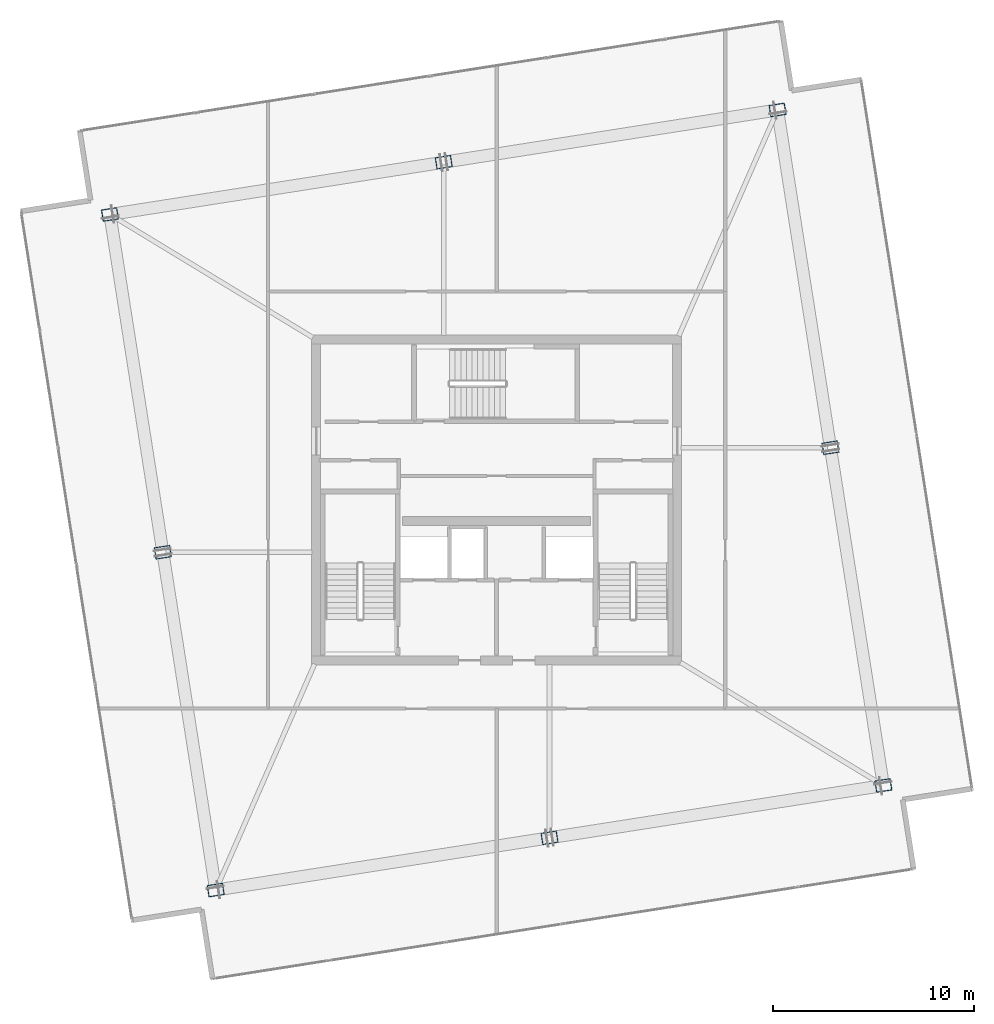
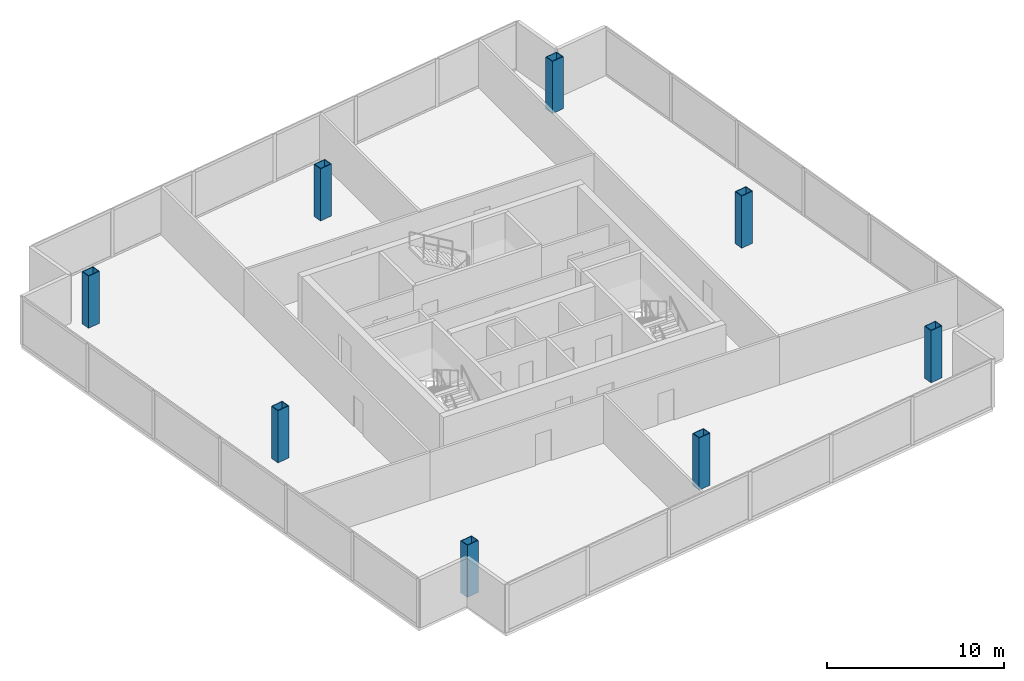
# One storey, part 1 of 17: 8 columns.
"""IFC4 building model written with IfcOpenShell, lengths in metres."""

from ifc_helpers import new_model, si_unit, direction, frame, origin, origin_2d, place, context, subcontext, project, spatial, hollow_rectangle, extrude, material, material_profile, profile_set, type_object, element, save


model = new_model("IFC4")

# Units and contexts
model_context = context("Model", 3, precision=1e-05, world=origin(), true_north=direction((0.0, 1.0)))
body_context = subcontext(model_context, "Body", "Model", "MODEL_VIEW")
ifc_project = project(units=[si_unit("LENGTHUNIT", "METRE"), si_unit("AREAUNIT", "SQUARE_METRE"), si_unit("VOLUMEUNIT", "CUBIC_METRE"), si_unit("PLANEANGLEUNIT", "RADIAN"), si_unit("MASSUNIT", "GRAM", prefix="KILO")], contexts=[model_context])

# Site, building, storey
site_placement = place(None, origin())
site = spatial("IfcSite", under=ifc_project, at=site_placement, CompositionType="ELEMENT")
building_placement = place(site_placement, origin())
building = spatial("IfcBuilding", under=site, at=building_placement, Name="Haldenkirk Collegiate Tower", CompositionType="ELEMENT")
storey_placement = place(building_placement, frame((0.0, 0.0, 364.199951171875)))
storey = spatial("IfcBuildingStorey", under=building, at=storey_placement, Name="L92", CompositionType="ELEMENT", Elevation=364.199951171875)

# Columns
ifc_material = material(Name="Steel ASTM A572 Grade 50", Category="steel")
ifc_material_profile = material_profile(ifc_material, hollow_rectangle(XDim=0.60009765625, YDim=0.800048828125, WallThickness=0.0400390625, at=origin_2d()), Name="BOX800X600X40")
ifc_profile_set = profile_set([ifc_material_profile], Name="Steel ASTM A572 Grade 50")
column_type = type_object("IfcColumnType", Name="COL-CROWN-BOX800", PredefinedType="COLUMN", material=ifc_profile_set)
for number, where, z_axis, x_axis, name in (
    (1, (55.284912109375, 11.76220703125, 0.0), (0.0, 0.0, 1.0), (-0.154710386299, 0.987959865769, 0.0), "L92 Crown Ring Frame column CC-1"),
    (2, (52.647216796875, 28.60693359375, 0.0), (0.0, 0.0, 1.0), (-0.154710386299, 0.987959865769, 0.0), "L92 Crown Ring Frame column CC-2"),
    (3, (50.00927734375, 45.45166015625, 0.0), (0.0, 0.0, 1.0), (-0.154710386299, 0.987959865769, 0.0), "L92 Crown Ring Frame column CC-3"),
    (4, (33.3623046875, 42.8447265625, 0.0), (0.0, 0.0, 1.0), (-0.154710386299, 0.987959865769, 0.0), "L92 Crown Ring Frame column CC-4"),
    (5, (16.715087890625, 40.23779296875, 0.0), (0.0, 0.0, 1.0), (-0.154710386299, 0.987959865769, 0.0), "L92 Crown Ring Frame column CC-5"),
    (6, (19.352783203125, 23.39306640625, 0.0), (0.0, 0.0, 1.0), (-0.154710386299, 0.987959865769, 0.0), "L92 Crown Ring Frame column CC-6"),
    (7, (21.99072265625, 6.54833984375, 0.0), (0.0, 0.0, 1.0), (-0.154710386299, 0.987959865769, 0.0), "L92 Crown Ring Frame column CC-7"),
    (8, (38.6376953125, 9.1552734375, 0.0), (0.0, 0.0, 1.0), (-0.154710386299, 0.987959865769, 0.0), "L92 Crown Ring Frame column CC-8"),
):
    element("IfcColumn", number, at=place(storey_placement, frame(where, z_axis=z_axis, x_axis=x_axis)), inside=storey, type_object=column_type, Name=name, PredefinedType="COLUMN", context=body_context, shape_type="SweptSolid", body=[
        extrude(hollow_rectangle(XDim=0.60009765625, YDim=0.800048828125, WallThickness=0.0400390625, at=origin_2d()), origin(), (0.0, 0.0, 1.0), 3.60009765625),
    ])

save(model, "model.ifc")
